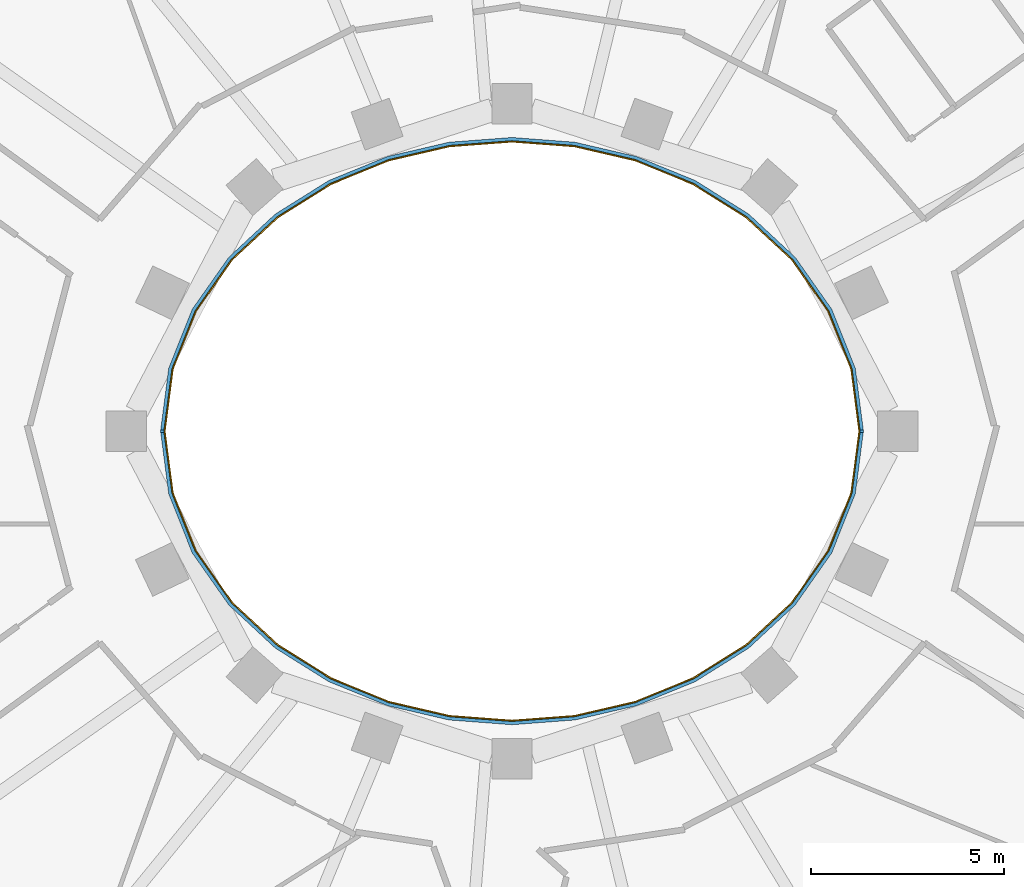
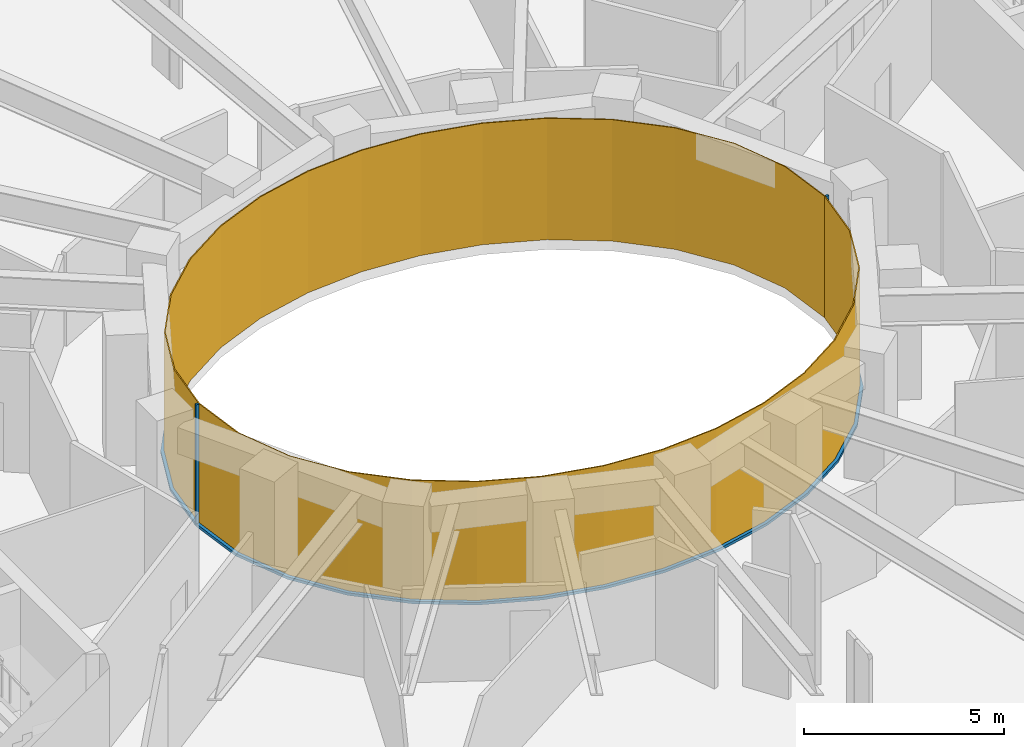
# One storey, part 10 of 15: 4 members, 2 curtain walls.
"""IFC4 building model written with IfcOpenShell, lengths in metres."""

from ifc_helpers import new_model, si_unit, direction, frame, origin, origin_2d, place, context, subcontext, project, spatial, polyline, rectangle, outline, extrude, material, layer, layer_set, material_profile, profile_set, type_object, element, aggregate, save


model = new_model("IFC4")

# Units and contexts
model_context = context("Model", 3, precision=1e-05, world=origin(), true_north=direction((0.0, 1.0)))
body_context = subcontext(model_context, "Body", "Model", "MODEL_VIEW")
ifc_project = project(units=[si_unit("LENGTHUNIT", "METRE"), si_unit("AREAUNIT", "SQUARE_METRE"), si_unit("VOLUMEUNIT", "CUBIC_METRE"), si_unit("PLANEANGLEUNIT", "RADIAN"), si_unit("MASSUNIT", "GRAM", prefix="KILO")], contexts=[model_context])

# Member
ifc_material_1 = material(Name="Steel S355 fire-resisting frame", Category="steel")
ifc_material_profile = material_profile(ifc_material_1, rectangle(XDim=0.090087890625, YDim=0.06005859375, at=origin_2d()), Name="90x60")
ifc_profile_set = profile_set([ifc_material_profile], Name="Steel S355 fire-resisting frame")
member_type_1 = type_object("IfcMemberType", Name="ENV-MULLION-W-90", PredefinedType="MULLION", material=ifc_profile_set)
site_placement = place(None, origin())
building_placement = place(site_placement, origin())
storey_placement = place(building_placement, frame((0.0, 0.0, 194.0)))
member_1_placement = place(storey_placement, frame((9.076904296875, 0.0, 0.0), z_axis=(0.0, 0.0, 1.0), x_axis=(1.0, 0.0, 0.0)))
member_1 = element("IfcMember", 1, at=member_1_placement, type_object=member_type_1, Name="Mullion W well vertex 01", PredefinedType="MULLION", context=body_context, shape_type="SweptSolid", body=[
    extrude(rectangle(XDim=0.090087890625, YDim=0.06005859375, at=origin_2d()), origin(), (0.0, 0.0, 1.0), 3.699951171875),
])

member_2_placement = place(storey_placement, frame((-9.076904296875, 0.0, 0.0), z_axis=(0.0, 0.0, 1.0), x_axis=(-1.0, 0.0, 0.0)))
member_2 = element("IfcMember", 2, at=member_2_placement, type_object=member_type_1, Name="Mullion W well vertex 17", PredefinedType="MULLION", context=body_context, shape_type="SweptSolid", body=[
    extrude(rectangle(XDim=0.090087890625, YDim=0.06005859375, at=origin_2d()), origin(), (0.0, 0.0, 1.0), 3.699951171875),
])

ifc_material_2 = material(Name="Steel S355 fire-resisting frame", Category="steel")
member_type_2 = type_object("IfcMemberType", Name="ENV-TRANSOM-W", PredefinedType="USERDEFINED", material=ifc_material_2)
member_3_placement = place(storey_placement, origin())
member_3 = element("IfcMember", 3, at=member_3_placement, type_object=member_type_2, Name="Transom W well 01-17", ObjectType="TRANSOM", PredefinedType="USERDEFINED", context=body_context, shape_type="SweptSolid", body=[
    extrude(outline(polyline([(9.119384765625, 0.02783203125), (8.910400390625, 1.63623046875), (8.29833984375, 3.167236328125), (7.35107421875, 4.5146484375), (6.1455078125, 5.6337890625), (4.75341796875, 6.50634765625), (3.233642578125, 7.127685546875), (1.635498046875, 7.498779296875), (0.0, 7.622314453125), (-1.635498046875, 7.498779296875), (-3.233642578125, 7.127685546875), (-4.75341796875, 6.50634765625), (-6.1455078125, 5.6337890625), (-7.35107421875, 4.5146484375), (-8.29833984375, 3.167236328125), (-8.910400390625, 1.63623046875), (-9.119384765625, 0.02783203125), (-9.02880859375, 0.02783203125), (-8.822509765625, 1.61328125), (-8.21875, 3.124267578125), (-7.282958984375, 4.455078125), (-6.090576171875, 5.56201171875), (-4.712158203125, 6.426025390625), (-3.206298828125, 7.04150390625), (-1.621826171875, 7.40966796875), (0.0, 7.531982421875), (1.621826171875, 7.40966796875), (3.206298828125, 7.04150390625), (4.712158203125, 6.426025390625), (6.090576171875, 5.56201171875), (7.282958984375, 4.455078125), (8.21875, 3.124267578125), (8.822509765625, 1.61328125), (9.02880859375, 0.02783203125), (9.119384765625, 0.02783203125)])), origin(), (0.0, 0.0, 1.0), 0.080078125),
])

member_4_placement = place(storey_placement, origin())
member_4 = element("IfcMember", 4, at=member_4_placement, type_object=member_type_2, Name="Transom W well 17-01", ObjectType="TRANSOM", PredefinedType="USERDEFINED", context=body_context, shape_type="SweptSolid", body=[
    extrude(outline(polyline([(-9.119384765625, -0.02783203125), (-8.910400390625, -1.63623046875), (-8.29833984375, -3.167236328125), (-7.35107421875, -4.5146484375), (-6.1455078125, -5.6337890625), (-4.75341796875, -6.50634765625), (-3.233642578125, -7.127685546875), (-1.635498046875, -7.498779296875), (0.0, -7.622314453125), (1.635498046875, -7.498779296875), (3.233642578125, -7.127685546875), (4.75341796875, -6.50634765625), (6.1455078125, -5.6337890625), (7.35107421875, -4.5146484375), (8.29833984375, -3.167236328125), (8.910400390625, -1.63623046875), (9.119384765625, -0.02783203125), (9.02880859375, -0.02783203125), (8.822509765625, -1.61328125), (8.21875, -3.124267578125), (7.282958984375, -4.455078125), (6.090576171875, -5.56201171875), (4.712158203125, -6.426025390625), (3.206298828125, -7.04150390625), (1.621826171875, -7.40966796875), (0.0, -7.531982421875), (-1.621826171875, -7.40966796875), (-3.206298828125, -7.04150390625), (-4.712158203125, -6.426025390625), (-6.090576171875, -5.56201171875), (-7.282958984375, -4.455078125), (-8.21875, -3.124267578125), (-8.822509765625, -1.61328125), (-9.02880859375, -0.02783203125), (-9.119384765625, -0.02783203125)])), origin(), (0.0, 0.0, 1.0), 0.080078125),
])

# Site, building, storey
site = spatial("IfcSite", under=ifc_project, at=site_placement, CompositionType="ELEMENT")
building = spatial("IfcBuilding", under=site, at=building_placement, Name="Noorbagh Ring Tower", CompositionType="ELEMENT")
storey = spatial("IfcBuildingStorey", under=building, at=storey_placement, Name="L45", CompositionType="ELEMENT", Elevation=194.0)

# Curtain wall
ifc_material_3 = material(Name="Glass fire-resisting E60 laminated", Category="glass")
ifc_layer = layer(ifc_material_3, 0.031982421875)
ifc_layer_set = layer_set([ifc_layer], Name="Glass fire-resisting E60 laminated")
curtain_wall_type = type_object("IfcCurtainWallType", Name="ENV-CW-W", PredefinedType="NOTDEFINED", material=ifc_layer_set)
curtain_wall_1_placement = place(storey_placement, origin())
curtain_wall_1 = element("IfcCurtainWall", 5, at=curtain_wall_1_placement, inside=storey, type_object=curtain_wall_type, Name="Curtain wall W W01", PredefinedType="NOTDEFINED", context=body_context, shape_type="SweptSolid", body=[
    extrude(outline(polyline([(9.0322265625, 0.0), (8.822509765625, 1.61328125), (8.21875, 3.124267578125), (7.282958984375, 4.455078125), (6.090576171875, 5.56201171875), (4.712158203125, 6.426025390625), (3.206298828125, 7.04150390625), (1.621826171875, 7.40966796875), (0.0, 7.531982421875), (-1.621826171875, 7.40966796875), (-3.206298828125, 7.04150390625), (-4.712158203125, 6.426025390625), (-6.090576171875, 5.56201171875), (-7.282958984375, 4.455078125), (-8.21875, 3.124267578125), (-8.822509765625, 1.61328125), (-9.0322265625, 0.0), (-9.0, 0.0), (-8.79150390625, 1.605224609375), (-8.1904296875, 3.10888671875), (-7.2587890625, 4.43408203125), (-6.071044921875, 5.53662109375), (-4.697509765625, 6.3974609375), (-3.196533203125, 7.010986328125), (-1.6171875, 7.3779296875), (0.0, 7.5), (1.6171875, 7.3779296875), (3.196533203125, 7.010986328125), (4.697509765625, 6.3974609375), (6.071044921875, 5.53662109375), (7.2587890625, 4.43408203125), (8.1904296875, 3.10888671875), (8.79150390625, 1.605224609375), (9.0, 0.0), (9.0322265625, 0.0)])), origin(), (0.0, 0.0, 1.0), 3.699951171875),
])

aggregate(curtain_wall_1, [member_1, member_2, member_3])

curtain_wall_2_placement = place(storey_placement, origin())
curtain_wall_2 = element("IfcCurtainWall", 6, at=curtain_wall_2_placement, inside=storey, type_object=curtain_wall_type, Name="Curtain wall W W17", PredefinedType="NOTDEFINED", context=body_context, shape_type="SweptSolid", body=[
    extrude(outline(polyline([(-9.0322265625, 0.0), (-8.822509765625, -1.61328125), (-8.21875, -3.124267578125), (-7.282958984375, -4.455078125), (-6.090576171875, -5.56201171875), (-4.712158203125, -6.426025390625), (-3.206298828125, -7.04150390625), (-1.621826171875, -7.40966796875), (0.0, -7.531982421875), (1.621826171875, -7.40966796875), (3.206298828125, -7.04150390625), (4.712158203125, -6.426025390625), (6.090576171875, -5.56201171875), (7.282958984375, -4.455078125), (8.21875, -3.124267578125), (8.822509765625, -1.61328125), (9.0322265625, 0.0), (9.0, 0.0), (8.79150390625, -1.605224609375), (8.1904296875, -3.10888671875), (7.2587890625, -4.43408203125), (6.071044921875, -5.53662109375), (4.697509765625, -6.3974609375), (3.196533203125, -7.010986328125), (1.6171875, -7.3779296875), (0.0, -7.5), (-1.6171875, -7.3779296875), (-3.196533203125, -7.010986328125), (-4.697509765625, -6.3974609375), (-6.071044921875, -5.53662109375), (-7.2587890625, -4.43408203125), (-8.1904296875, -3.10888671875), (-8.79150390625, -1.605224609375), (-9.0, 0.0), (-9.0322265625, 0.0)])), origin(), (0.0, 0.0, 1.0), 3.699951171875),
])

aggregate(curtain_wall_2, [member_4])

save(model, "model.ifc")
